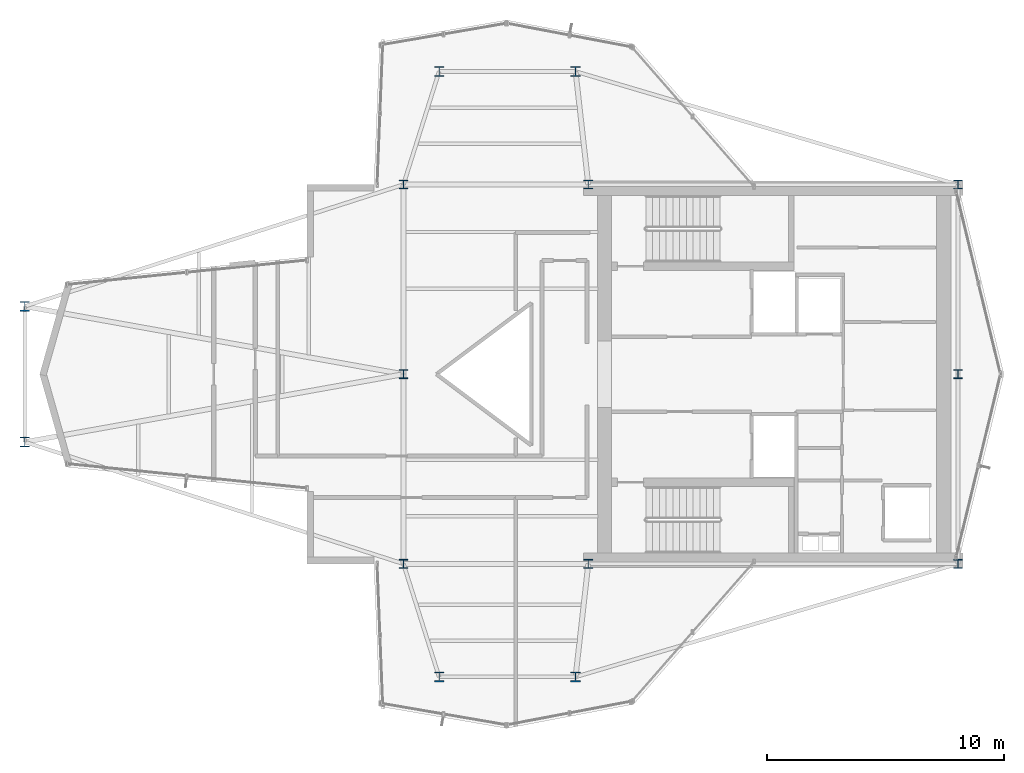
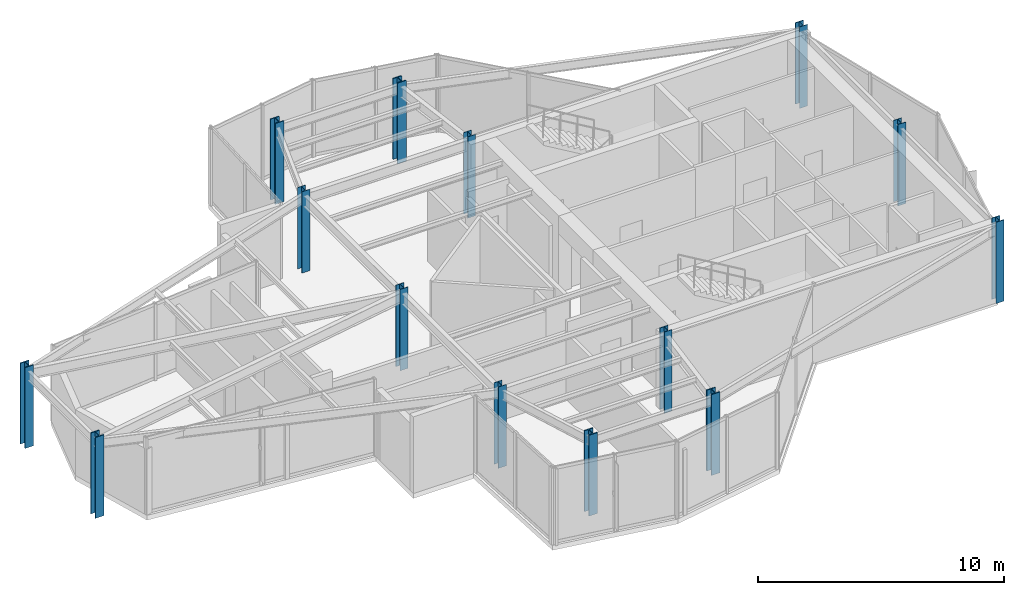
# One storey, part 1 of 14: 14 columns.
"""IFC4 building model written with IfcOpenShell, lengths in metres."""

from ifc_helpers import new_model, si_unit, direction, frame, origin, origin_2d, place, context, subcontext, project, spatial, i_section, extrude, material, material_profile, profile_set, type_object, element, save


model = new_model("IFC4")

# Units and contexts
model_context = context("Model", 3, precision=1e-05, world=origin(), true_north=direction((0.0, 1.0)))
body_context = subcontext(model_context, "Body", "Model", "MODEL_VIEW")
ifc_project = project(units=[si_unit("LENGTHUNIT", "METRE"), si_unit("AREAUNIT", "SQUARE_METRE"), si_unit("VOLUMEUNIT", "CUBIC_METRE"), si_unit("PLANEANGLEUNIT", "RADIAN"), si_unit("MASSUNIT", "GRAM", prefix="KILO")], contexts=[model_context])

# Site, building, storey
site_placement = place(None, origin())
site = spatial("IfcSite", under=ifc_project, at=site_placement, CompositionType="ELEMENT")
building_placement = place(site_placement, origin())
building = spatial("IfcBuilding", under=site, at=building_placement, Name="Veymaron Broadcast Tower", CompositionType="ELEMENT")
storey_placement = place(building_placement, frame((0.0, 0.0, 270.89990234375)))
storey = spatial("IfcBuildingStorey", under=building, at=storey_placement, Name="L63", CompositionType="ELEMENT", Elevation=270.89990234375)

# Columns
ifc_material_1 = material(Name="Structural steel ASTM A992 Gr 50", Category="steel")
ifc_material_profile_1 = material_profile(ifc_material_1, i_section(OverallWidth=0.373046875, OverallDepth=0.367919921875, WebThickness=0.014892578125, FlangeThickness=0.02392578125, at=origin_2d()), Name="W360X179")
ifc_profile_set_1 = profile_set([ifc_material_profile_1], Name="Structural steel ASTM A992 Gr 50")
column_type_1 = type_object("IfcColumnType", Name="COL-HC4", PredefinedType="COLUMN", material=ifc_profile_set_1)
for number, where, z_axis, x_axis, name in (
    (1, (31.199951171875, 16.0, 0.0), (0.0, 0.0, 1.0), (1.0, 0.0, 0.0), "L63 structural hub and core column"),
    (2, (31.199951171875, 24.0, 0.0), (0.0, 0.0, 1.0), (1.0, 0.0, 0.0), "L63 structural hub and core column"),
    (3, (31.199951171875, 32.0, 0.0), (0.0, 0.0, 1.0), (1.0, 0.0, 0.0), "L63 structural hub and core column"),
    (4, (39.0, 16.0, 0.0), (0.0, 0.0, 1.0), (1.0, 0.0, 0.0), "L63 structural hub and core column"),
    (5, (39.0, 32.0, 0.0), (0.0, 0.0, 1.0), (1.0, 0.0, 0.0), "L63 structural hub and core column"),
    (6, (54.60009765625, 16.0, 0.0), (0.0, 0.0, 1.0), (1.0, 0.0, 0.0), "L63 structural hub and core column"),
    (7, (54.60009765625, 24.0, 0.0), (0.0, 0.0, 1.0), (1.0, 0.0, 0.0), "L63 structural hub and core column"),
    (8, (54.60009765625, 32.0, 0.0), (0.0, 0.0, 1.0), (1.0, 0.0, 0.0), "L63 structural hub and core column"),
):
    element("IfcColumn", number, at=place(storey_placement, frame(where, z_axis=z_axis, x_axis=x_axis)), inside=storey, type_object=column_type_1, Name=name, PredefinedType="COLUMN", context=body_context, shape_type="SweptSolid", body=[
        extrude(i_section(OverallWidth=0.373046875, OverallDepth=0.367919921875, WebThickness=0.014892578125, FlangeThickness=0.02392578125, at=origin_2d()), origin(), (0.0, 0.0, 1.0), 4.044189453125),
    ])
ifc_material_2 = material(Name="Structural steel ASTM A913 Gr 65", Category="steel")
ifc_material_profile_2 = material_profile(ifc_material_2, i_section(OverallWidth=0.406005859375, OverallDepth=0.416015625, WebThickness=0.02978515625, FlangeThickness=0.048095703125, at=origin_2d()), Name="W360X382")
ifc_profile_set_2 = profile_set([ifc_material_profile_2], Name="Structural steel ASTM A913 Gr 65")
column_type_2 = type_object("IfcColumnType", Name="COL-MC4", PredefinedType="COLUMN", material=ifc_profile_set_2)
for number, where, z_axis, x_axis, name in (
    (9, (15.224365234375, 21.137939453125, 0.01611328125), (0.0, 0.0, 1.0), (1.0, 0.0, 0.0), "L63 Tapered Wing Mega Column"),
    (10, (15.224365234375, 26.862060546875, 0.01611328125), (0.0, 0.0, 1.0), (1.0, 0.0, 0.0), "L63 Tapered Wing Mega Column"),
    (11, (32.706298828125, 36.77197265625, 0.01611328125), (0.0, 0.0, 1.0), (1.0, 0.0, 0.0), "L63 Tapered Wing Mega Column"),
    (12, (38.4619140625, 36.77197265625, 0.01611328125), (0.0, 0.0, 1.0), (1.0, 0.0, 0.0), "L63 Tapered Wing Mega Column"),
    (13, (32.706298828125, 11.22802734375, 0.01611328125), (0.0, 0.0, 1.0), (1.0, 0.0, 0.0), "L63 Tapered Wing Mega Column"),
    (14, (38.4619140625, 11.22802734375, 0.01611328125), (0.0, 0.0, 1.0), (1.0, 0.0, 0.0), "L63 Tapered Wing Mega Column"),
):
    element("IfcColumn", number, at=place(storey_placement, frame(where, z_axis=z_axis, x_axis=x_axis)), inside=storey, type_object=column_type_2, Name=name, PredefinedType="COLUMN", context=body_context, shape_type="SweptSolid", body=[
        extrude(i_section(OverallWidth=0.406005859375, OverallDepth=0.416015625, WebThickness=0.02978515625, FlangeThickness=0.048095703125, at=origin_2d()), origin(), (0.0, 0.0, 1.0), 4.01806640625),
    ])

save(model, "model.ifc")
